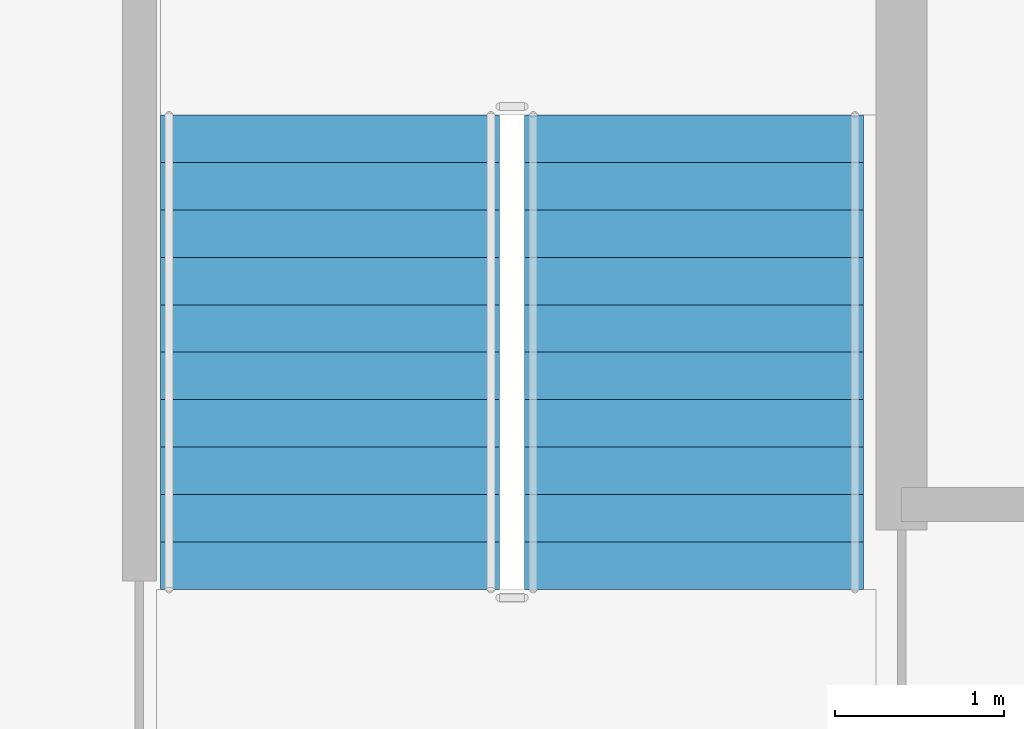
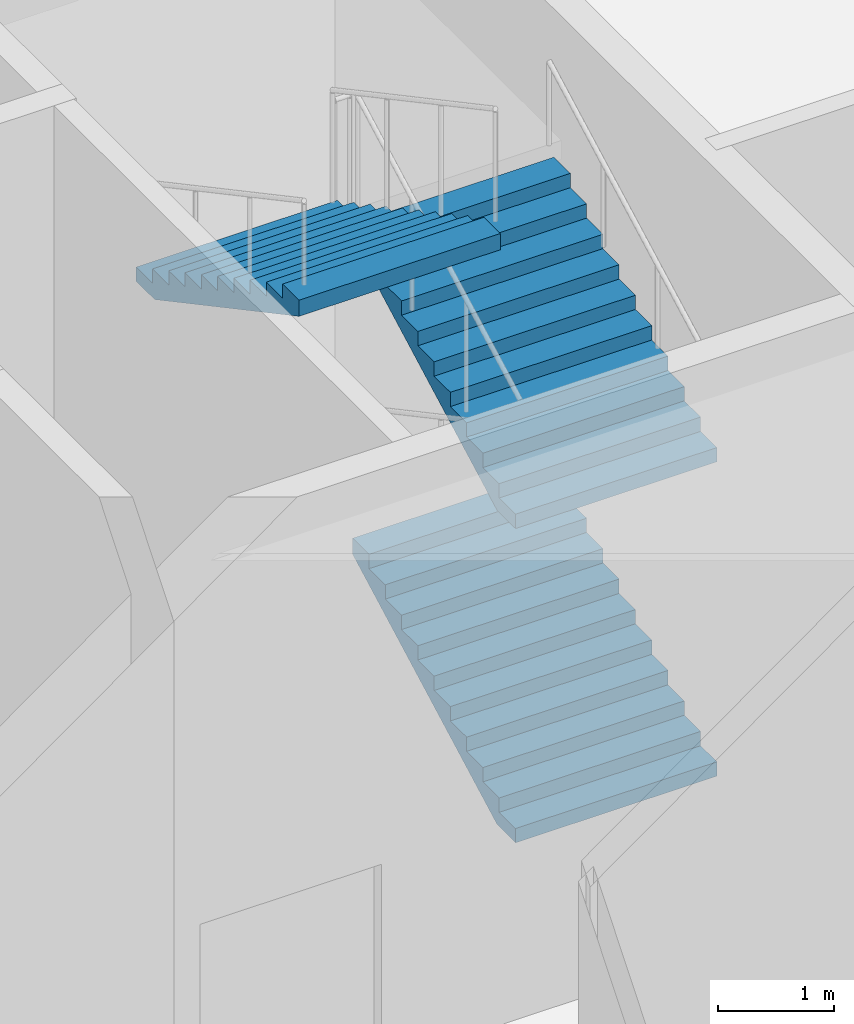
# One storey, part 21 of 38: 3 stair flights, 1 element without a shape of its own.
"""IFC4 building model written with IfcOpenShell, lengths in metres."""

import ifcopenshell
import ifcopenshell.guid

model = None  # the IFC model being written
_history = None  # IfcOwnerHistory: only IFC2X3 demands one
_inside = {}  # id of a spatial element -> (the spatial element, [elements in it])
_under = {}  # id of a project, library or spatial element -> (it, [spatial elements below it])
_declared = {}  # id of a project -> (the project, [libraries it declares])
_typed = {}  # id of a type object -> (the type object, [elements of that type])
_made_of = {}  # id of a material, layer set ... -> (it, [elements and type objects made of it])


def new_model(schema):
    """Start an empty IFC model of exactly this schema.

    Asked for "IFC4X3", IfcOpenShell would pick the latest addendum, in which some entities
    have other attributes; the version numbers below select the first issue.
    IFC2X3 requires an IfcOwnerHistory on every rooted entity: one is made here for all.
    """
    global model, _history
    if schema == "IFC4X3":
        model = ifcopenshell.file(schema_version=(4, 3, 0, 0))
    else:
        model = ifcopenshell.file(schema=schema)
    _inside.clear()
    _under.clear()
    _declared.clear()
    _typed.clear()
    _made_of.clear()
    _history = None
    if model.schema == "IFC2X3":
        org = make("IfcOrganization", Name="unknown")
        user = make(
            "IfcPersonAndOrganization",
            ThePerson=make("IfcPerson", FamilyName="unknown"),
            TheOrganization=org,
        )
        app = make(
            "IfcApplication",
            ApplicationDeveloper=org,
            Version="unknown",
            ApplicationFullName="unknown",
            ApplicationIdentifier="unknown",
        )
        _history = make(
            "IfcOwnerHistory",
            OwningUser=user,
            OwningApplication=app,
            ChangeAction="ADDED",
            CreationDate=0,
        )
    return model


def make(cls, **values):
    """One entity of the class cls with the attributes given. An attribute that is None is left unset."""
    return model.create_entity(
        cls, **{name: value for name, value in values.items() if value is not None}
    )


def rooted(cls, **values):
    """An entity with a GlobalId (a new one), such as an element, a storey or a relation."""
    return make(cls, GlobalId=ifcopenshell.guid.new(), OwnerHistory=_history, **values)


def si_unit(unit_type, name, prefix=None):
    """IfcSIUnit, for example si_unit("LENGTHUNIT", "METRE", prefix="MILLI")."""
    return make("IfcSIUnit", UnitType=unit_type, Prefix=prefix, Name=name)


def assignment(units):
    """IfcUnitAssignment: the units of a project."""
    return None if units is None else make("IfcUnitAssignment", Units=units)


def point(xyz):
    """IfcCartesianPoint."""
    return None if xyz is None else make("IfcCartesianPoint", Coordinates=xyz)


def direction(xyz):
    """IfcDirection."""
    return None if xyz is None else make("IfcDirection", DirectionRatios=xyz)


def frame(location, z_axis=None, x_axis=None):
    """IfcAxis2Placement3D, a coordinate frame: its origin and axes. An axis left out is left unset."""
    return make(
        "IfcAxis2Placement3D",
        Location=point(location),
        Axis=direction(z_axis),
        RefDirection=direction(x_axis),
    )


def origin():
    """The frame at (0, 0, 0) with its axes left unset."""
    return frame((0.0, 0.0, 0.0))


def place(relative_to, where):
    """IfcLocalPlacement: puts the frame where relative to a parent placement (None: the world)."""
    return make(
        "IfcLocalPlacement", PlacementRelTo=relative_to, RelativePlacement=where
    )


def context(
    kind, dimensions, precision=None, world=None, true_north=None, identifier=None
):
    """IfcGeometricRepresentationContext, for example the 3D "Model" context."""
    return make(
        "IfcGeometricRepresentationContext",
        ContextIdentifier=identifier,
        ContextType=kind,
        CoordinateSpaceDimension=dimensions,
        Precision=precision,
        WorldCoordinateSystem=world,
        TrueNorth=true_north,
    )


def subcontext(parent, identifier, kind, view, scale=None):
    """IfcGeometricRepresentationSubContext, for example "Body" below "Model"."""
    return make(
        "IfcGeometricRepresentationSubContext",
        ContextIdentifier=identifier,
        ContextType=kind,
        ParentContext=parent,
        TargetScale=scale,
        TargetView=view,
    )


def project(units=None, contexts=None):
    """IfcProject with its units and contexts."""
    return rooted(
        "IfcProject",
        Name="project",
        RepresentationContexts=contexts,
        UnitsInContext=assignment(units),
    )


def spatial(cls, under=None, at=None, **own):
    """A site, building, storey or space (cls), placed at a placement, below another one or the project."""
    s = rooted(cls, ObjectPlacement=at, **own)
    if under is not None:
        _under.setdefault(under.id(), (under, []))[1].append(s)
    return s


def point_list(points):
    """IfcCartesianPointList2D or 3D."""
    cls = (
        "IfcCartesianPointList2D" if len(points[0]) == 2 else "IfcCartesianPointList3D"
    )
    return make(cls, CoordList=points)


def polygons(points, faces, closed=None, point_numbers=None):
    """IfcPolygonalFaceSet: a face is its outer loop, then its inner loops; points numbered from 1."""
    made = []
    for loops in faces:
        if len(loops) == 1:
            made.append(make("IfcIndexedPolygonalFace", CoordIndex=loops[0]))
        else:
            made.append(
                make(
                    "IfcIndexedPolygonalFaceWithVoids",
                    CoordIndex=loops[0],
                    InnerCoordIndices=loops[1:],
                )
            )
    return make(
        "IfcPolygonalFaceSet",
        Coordinates=point_list(points),
        Closed=closed,
        Faces=made,
        PnIndex=point_numbers,
    )


def shape(context_of_items, identifier, shape_type, items):
    """IfcShapeRepresentation: the items that make up one representation, for example the "Body"."""
    return make(
        "IfcShapeRepresentation",
        ContextOfItems=context_of_items,
        RepresentationIdentifier=identifier,
        RepresentationType=shape_type,
        Items=items,
    )


def material(Name=None, Category=None):
    """IfcMaterial."""
    return make("IfcMaterial", Name=Name, Category=Category)


def made_of(thing, what):
    """Note that an element or type object is made of a material, layer set ...; save() writes the relation."""
    if what is not None:
        _made_of.setdefault(what.id(), (what, []))[1].append(thing)
    return thing


def type_object(cls, material=None, **own):
    """A type object (cls), such as IfcWallType, which elements share."""
    return made_of(rooted(cls, **own), material)


def element(
    cls,
    number,
    at=None,
    inside=None,
    cuts=None,
    type_object=None,
    material=None,
    context=None,
    identifier="Body",
    shape_type=None,
    held_by="IfcProductDefinitionShape",
    body=None,
    shapes=None,
    **own,
):
    """One element of the class cls, such as IfcWall. Its Tag is "e" and its number.

    at: its placement. inside: the storey or other place that contains it. cuts: it is an
    opening in that element (IfcRelVoidsElement). A single representation is given by context,
    identifier, shape_type and body (its items); several are given by shapes. held_by: the class
    of the entity that holds the representations. save() writes the other relations.
    """
    e = rooted(cls, Tag="e%d" % number, ObjectPlacement=at, **own)
    if body is not None:
        shapes = [shape(context, identifier, shape_type, body)]
    if shapes is not None:
        e.Representation = make(held_by, Representations=shapes)
    if inside is not None:
        _inside.setdefault(inside.id(), (inside, []))[1].append(e)
    if cuts is not None:
        rooted(
            "IfcRelVoidsElement", RelatingBuildingElement=cuts, RelatedOpeningElement=e
        )
    if type_object is not None:
        _typed.setdefault(type_object.id(), (type_object, []))[1].append(e)
    return made_of(e, material)


def aggregate(whole, parts):
    """IfcRelAggregates: a whole, such as a stair, and the parts it consists of."""
    return rooted("IfcRelAggregates", RelatingObject=whole, RelatedObjects=parts)


def save(model, path):
    """Write the relations noted so far, then the file.

    IfcRelAggregates (storeys below a building ...), IfcRelContainedInSpatialStructure (elements
    in a storey), IfcRelDefinesByType, IfcRelAssociatesMaterial and IfcRelDeclares: one each for
    every whole, place, type object, material and project.
    """
    for whole, parts in _under.values():
        aggregate(whole, parts)
    for where, things in _inside.values():
        rooted(
            "IfcRelContainedInSpatialStructure",
            RelatedElements=things,
            RelatingStructure=where,
        )
    for kind, things in _typed.values():
        rooted("IfcRelDefinesByType", RelatedObjects=things, RelatingType=kind)
    for what, things in _made_of.values():
        rooted("IfcRelAssociatesMaterial", RelatedObjects=things, RelatingMaterial=what)
    for by, libraries in _declared.values():
        rooted("IfcRelDeclares", RelatingContext=by, RelatedDefinitions=libraries)
    model.write(path)


model = new_model("IFC4")

# Units and contexts
model_context = context("Model", 3, precision=1e-05, world=origin(), true_north=direction((0.0, 1.0)))
body_context = subcontext(model_context, "Body", "Model", "MODEL_VIEW")
ifc_project = project(units=[si_unit("LENGTHUNIT", "METRE"), si_unit("AREAUNIT", "SQUARE_METRE"), si_unit("VOLUMEUNIT", "CUBIC_METRE"), si_unit("PLANEANGLEUNIT", "RADIAN"), si_unit("MASSUNIT", "GRAM", prefix="KILO")], contexts=[model_context])

# Site, building, storey
site_placement = place(None, origin())
site = spatial("IfcSite", under=ifc_project, at=site_placement, CompositionType="ELEMENT")
building_placement = place(site_placement, origin())
building = spatial("IfcBuilding", under=site, at=building_placement, Name="Caravel Reach Hotel and Residences", CompositionType="ELEMENT")
storey_placement = place(building_placement, origin())
storey = spatial("IfcBuildingStorey", under=building, at=storey_placement, Name="L00", CompositionType="ELEMENT", Elevation=0.0)

# Stair, stair flights
ifc_material_1 = material(Name="Concrete C40", Category="concrete")
stair_type = type_object("IfcStairType", Name="Core stair", PredefinedType="HALF_TURN_STAIR", material=ifc_material_1)
stair_placement = place(storey_placement, origin())
stair = element("IfcStair", 1, at=stair_placement, inside=storey, type_object=stair_type, Name="L00 Exit stair B", PredefinedType="HALF_TURN_STAIR")
ifc_material_2 = material(Name="Concrete C40", Category="concrete")
stair_flight_type = type_object("IfcStairFlightType", Name="Core stair flight", PredefinedType="STRAIGHT", material=ifc_material_2)
stair_flight_1_placement = place(storey_placement, frame((43.77490234375, 24.64990234375, 0.0), z_axis=(0.0, 0.0, 1.0), x_axis=(0.0, 1.0, 0.0)))
stair_flight_1 = element("IfcStairFlight", 2, at=stair_flight_1_placement, type_object=stair_flight_type, Name="ST-B flight 1", NumberOfRisers=11, NumberOfTreads=10, PredefinedType="STRAIGHT", RiserHeight=0.15, TreadLength=0.28, context=body_context, shape_type="Tessellation", body=[
    polygons([(0.3174408016601862, 1.0, 0.0), (0.3174408016601862, 0.6666666666666667, 0.0), (0.3174408016601862, 0.33333333333333337, 0.0), (0.3174408016601862, 0.0, 0.0), (0.3174408016601862, -0.33333333333333326, 0.0), (0.3174408016601862, -0.6666666666666667, 0.0), (0.3174408016601862, -1.0, 0.0), (2.801, 1.0, 1.329942427682043), (2.801, 0.6666666666666667, 1.329942427682043), (2.801, 0.33333333333333337, 1.329942427682043), (2.801, 0.0, 1.329942427682043), (2.801, -0.33333333333333326, 1.329942427682043), (2.801, -0.6666666666666667, 1.329942427682043), (2.801, -1.0, 1.329942427682043), (2.801, 1.0, 1.5), (2.801, 0.6666666666666667, 1.5), (2.801, 0.33333333333333337, 1.5), (2.801, 0.0, 1.5), (2.801, -0.33333333333333326, 1.5), (2.801, -0.6666666666666667, 1.5), (2.801, -1.0, 1.5), (2.5200000000000005, 1.0, 1.5), (2.5200000000000005, 0.6666666666666667, 1.5), (2.5200000000000005, 0.33333333333333337, 1.5), (2.5200000000000005, 0.0, 1.5), (2.5200000000000005, -0.33333333333333326, 1.5), (2.5200000000000005, -0.6666666666666667, 1.5), (2.5200000000000005, -1.0, 1.5), (2.5200000000000005, 1.0, 1.3499999999999999), (2.5200000000000005, 0.6666666666666667, 1.3499999999999999), (2.5200000000000005, 0.33333333333333337, 1.3499999999999999), (2.5200000000000005, 0.0, 1.3499999999999999), (2.5200000000000005, -0.33333333333333326, 1.3499999999999999), (2.5200000000000005, -0.6666666666666667, 1.3499999999999999), (2.5200000000000005, -1.0, 1.3499999999999999), (2.24, 1.0, 1.3499999999999999), (2.24, 0.6666666666666667, 1.3499999999999999), (2.24, 0.33333333333333337, 1.3499999999999999), (2.24, 0.0, 1.3499999999999999), (2.24, -0.33333333333333326, 1.3499999999999999), (2.24, -0.6666666666666667, 1.3499999999999999), (2.24, -1.0, 1.3499999999999999), (2.24, 1.0, 1.2), (2.24, 0.6666666666666667, 1.2), (2.24, 0.33333333333333337, 1.2), (2.24, 0.0, 1.2), (2.24, -0.33333333333333326, 1.2), (2.24, -0.6666666666666667, 1.2), (2.24, -1.0, 1.2), (1.9600000000000002, 1.0, 1.2), (1.9600000000000002, 0.6666666666666667, 1.2), (1.9600000000000002, 0.33333333333333337, 1.2), (1.9600000000000002, 0.0, 1.2), (1.9600000000000002, -0.33333333333333326, 1.2), (1.9600000000000002, -0.6666666666666667, 1.2), (1.9600000000000002, -1.0, 1.2), (1.9600000000000002, 1.0, 1.05), (1.9600000000000002, 0.6666666666666667, 1.05), (1.9600000000000002, 0.33333333333333337, 1.05), (1.9600000000000002, 0.0, 1.05), (1.9600000000000002, -0.33333333333333326, 1.05), (1.9600000000000002, -0.6666666666666667, 1.05), (1.9600000000000002, -1.0, 1.05), (1.6800000000000002, 1.0, 1.05), (1.6800000000000002, 0.6666666666666667, 1.05), (1.6800000000000002, 0.33333333333333337, 1.05), (1.6800000000000002, 0.0, 1.05), (1.6800000000000002, -0.33333333333333326, 1.05), (1.6800000000000002, -0.6666666666666667, 1.05), (1.6800000000000002, -1.0, 1.05), (1.6800000000000002, 1.0, 0.8999999999999999), (1.6800000000000002, 0.6666666666666667, 0.8999999999999999), (1.6800000000000002, 0.33333333333333337, 0.8999999999999999), (1.6800000000000002, 0.0, 0.8999999999999999), (1.6800000000000002, -0.33333333333333326, 0.8999999999999999), (1.6800000000000002, -0.6666666666666667, 0.8999999999999999), (1.6800000000000002, -1.0, 0.8999999999999999), (1.4000000000000001, 1.0, 0.8999999999999999), (1.4000000000000001, 0.6666666666666667, 0.8999999999999999), (1.4000000000000001, 0.33333333333333337, 0.8999999999999999), (1.4000000000000001, 0.0, 0.8999999999999999), (1.4000000000000001, -0.33333333333333326, 0.8999999999999999), (1.4000000000000001, -0.6666666666666667, 0.8999999999999999), (1.4000000000000001, -1.0, 0.8999999999999999), (1.4000000000000001, 1.0, 0.75), (1.4000000000000001, 0.6666666666666667, 0.75), (1.4000000000000001, 0.33333333333333337, 0.75), (1.4000000000000001, 0.0, 0.75), (1.4000000000000001, -0.33333333333333326, 0.75), (1.4000000000000001, -0.6666666666666667, 0.75), (1.4000000000000001, -1.0, 0.75), (1.12, 1.0, 0.75), (1.12, 0.6666666666666667, 0.75), (1.12, 0.33333333333333337, 0.75), (1.12, 0.0, 0.75), (1.12, -0.33333333333333326, 0.75), (1.12, -0.6666666666666667, 0.75), (1.12, -1.0, 0.75), (1.12, 1.0, 0.6), (1.12, 0.6666666666666667, 0.6), (1.12, 0.33333333333333337, 0.6), (1.12, 0.0, 0.6), (1.12, -0.33333333333333326, 0.6), (1.12, -0.6666666666666667, 0.6), (1.12, -1.0, 0.6), (0.8400000000000001, 1.0, 0.6), (0.8400000000000001, 0.6666666666666667, 0.6), (0.8400000000000001, 0.33333333333333337, 0.6), (0.8400000000000001, 0.0, 0.6), (0.8400000000000001, -0.33333333333333326, 0.6), (0.8400000000000001, -0.6666666666666667, 0.6), (0.8400000000000001, -1.0, 0.6), (0.8400000000000001, 1.0, 0.44999999999999996), (0.8400000000000001, 0.6666666666666667, 0.44999999999999996), (0.8400000000000001, 0.33333333333333337, 0.44999999999999996), (0.8400000000000001, 0.0, 0.44999999999999996), (0.8400000000000001, -0.33333333333333326, 0.44999999999999996), (0.8400000000000001, -0.6666666666666667, 0.44999999999999996), (0.8400000000000001, -1.0, 0.44999999999999996), (0.56, 1.0, 0.44999999999999996), (0.56, 0.6666666666666667, 0.44999999999999996), (0.56, 0.33333333333333337, 0.44999999999999996), (0.56, 0.0, 0.44999999999999996), (0.56, -0.33333333333333326, 0.44999999999999996), (0.56, -0.6666666666666667, 0.44999999999999996), (0.56, -1.0, 0.44999999999999996), (0.56, 1.0, 0.3), (0.56, 0.6666666666666667, 0.3), (0.56, 0.33333333333333337, 0.3), (0.56, 0.0, 0.3), (0.56, -0.33333333333333326, 0.3), (0.56, -0.6666666666666667, 0.3), (0.56, -1.0, 0.3), (0.28, 1.0, 0.3), (0.28, 0.6666666666666667, 0.3), (0.28, 0.33333333333333337, 0.3), (0.28, 0.0, 0.3), (0.28, -0.33333333333333326, 0.3), (0.28, -0.6666666666666667, 0.3), (0.28, -1.0, 0.3), (0.28, 1.0, 0.15), (0.28, 0.6666666666666667, 0.15), (0.28, 0.33333333333333337, 0.15), (0.28, 0.0, 0.15), (0.28, -0.33333333333333326, 0.15), (0.28, -0.6666666666666667, 0.15), (0.28, -1.0, 0.15), (-0.001, 1.0, 0.15), (-0.001, 0.6666666666666667, 0.15), (-0.001, 0.33333333333333337, 0.15), (-0.001, 0.0, 0.15), (-0.001, -0.33333333333333326, 0.15), (-0.001, -0.6666666666666667, 0.15), (-0.001, -1.0, 0.15), (-0.001, 1.0, 0.0), (-0.001, 0.6666666666666667, 0.0), (-0.001, 0.33333333333333337, 0.0), (-0.001, 0.0, 0.0), (-0.001, -0.33333333333333326, 0.0), (-0.001, -0.6666666666666667, 0.0), (-0.001, -1.0, 0.0)], [[[155, 148, 141, 134, 127, 120, 113, 106, 99, 92, 85, 78, 71, 64, 57, 50, 43, 36, 29, 22, 15, 8, 1]], [[7, 14, 21, 28, 35, 42, 49, 56, 63, 70, 77, 84, 91, 98, 105, 112, 119, 126, 133, 140, 147, 154, 161]], [[1, 8, 9, 2]], [[2, 9, 10, 3]], [[3, 10, 11, 4]], [[4, 11, 12, 5]], [[5, 12, 13, 6]], [[6, 13, 14, 7]], [[8, 15, 16, 9]], [[9, 16, 17, 10]], [[10, 17, 18, 11]], [[11, 18, 19, 12]], [[12, 19, 20, 13]], [[13, 20, 21, 14]], [[15, 22, 23, 16]], [[16, 23, 24, 17]], [[17, 24, 25, 18]], [[18, 25, 26, 19]], [[19, 26, 27, 20]], [[20, 27, 28, 21]], [[22, 29, 30, 23]], [[23, 30, 31, 24]], [[24, 31, 32, 25]], [[25, 32, 33, 26]], [[26, 33, 34, 27]], [[27, 34, 35, 28]], [[29, 36, 37, 30]], [[30, 37, 38, 31]], [[31, 38, 39, 32]], [[32, 39, 40, 33]], [[33, 40, 41, 34]], [[34, 41, 42, 35]], [[36, 43, 44, 37]], [[37, 44, 45, 38]], [[38, 45, 46, 39]], [[39, 46, 47, 40]], [[40, 47, 48, 41]], [[41, 48, 49, 42]], [[43, 50, 51, 44]], [[44, 51, 52, 45]], [[45, 52, 53, 46]], [[46, 53, 54, 47]], [[47, 54, 55, 48]], [[48, 55, 56, 49]], [[50, 57, 58, 51]], [[51, 58, 59, 52]], [[52, 59, 60, 53]], [[53, 60, 61, 54]], [[54, 61, 62, 55]], [[55, 62, 63, 56]], [[57, 64, 65, 58]], [[58, 65, 66, 59]], [[59, 66, 67, 60]], [[60, 67, 68, 61]], [[61, 68, 69, 62]], [[62, 69, 70, 63]], [[64, 71, 72, 65]], [[65, 72, 73, 66]], [[66, 73, 74, 67]], [[67, 74, 75, 68]], [[68, 75, 76, 69]], [[69, 76, 77, 70]], [[71, 78, 79, 72]], [[72, 79, 80, 73]], [[73, 80, 81, 74]], [[74, 81, 82, 75]], [[75, 82, 83, 76]], [[76, 83, 84, 77]], [[78, 85, 86, 79]], [[79, 86, 87, 80]], [[80, 87, 88, 81]], [[81, 88, 89, 82]], [[82, 89, 90, 83]], [[83, 90, 91, 84]], [[85, 92, 93, 86]], [[86, 93, 94, 87]], [[87, 94, 95, 88]], [[88, 95, 96, 89]], [[89, 96, 97, 90]], [[90, 97, 98, 91]], [[92, 99, 100, 93]], [[93, 100, 101, 94]], [[94, 101, 102, 95]], [[95, 102, 103, 96]], [[96, 103, 104, 97]], [[97, 104, 105, 98]], [[99, 106, 107, 100]], [[100, 107, 108, 101]], [[101, 108, 109, 102]], [[102, 109, 110, 103]], [[103, 110, 111, 104]], [[104, 111, 112, 105]], [[106, 113, 114, 107]], [[107, 114, 115, 108]], [[108, 115, 116, 109]], [[109, 116, 117, 110]], [[110, 117, 118, 111]], [[111, 118, 119, 112]], [[113, 120, 121, 114]], [[114, 121, 122, 115]], [[115, 122, 123, 116]], [[116, 123, 124, 117]], [[117, 124, 125, 118]], [[118, 125, 126, 119]], [[120, 127, 128, 121]], [[121, 128, 129, 122]], [[122, 129, 130, 123]], [[123, 130, 131, 124]], [[124, 131, 132, 125]], [[125, 132, 133, 126]], [[127, 134, 135, 128]], [[128, 135, 136, 129]], [[129, 136, 137, 130]], [[130, 137, 138, 131]], [[131, 138, 139, 132]], [[132, 139, 140, 133]], [[134, 141, 142, 135]], [[135, 142, 143, 136]], [[136, 143, 144, 137]], [[137, 144, 145, 138]], [[138, 145, 146, 139]], [[139, 146, 147, 140]], [[141, 148, 149, 142]], [[142, 149, 150, 143]], [[143, 150, 151, 144]], [[144, 151, 152, 145]], [[145, 152, 153, 146]], [[146, 153, 154, 147]], [[148, 155, 156, 149]], [[149, 156, 157, 150]], [[150, 157, 158, 151]], [[151, 158, 159, 152]], [[152, 159, 160, 153]], [[153, 160, 161, 154]], [[155, 1, 2, 156]], [[156, 2, 3, 157]], [[157, 3, 4, 158]], [[158, 4, 5, 159]], [[159, 5, 6, 160]], [[160, 6, 7, 161]]], closed=True),
])
stair_flight_2_placement = place(storey_placement, frame((43.77490234375, 24.64990234375, 3.300048828125), z_axis=(0.0, 0.0, 1.0), x_axis=(0.0, 1.0, 0.0)))
stair_flight_2 = element("IfcStairFlight", 3, at=stair_flight_2_placement, type_object=stair_flight_type, Name="ST-B flight 3", NumberOfRisers=11, NumberOfTreads=10, PredefinedType="STRAIGHT", RiserHeight=0.15, TreadLength=0.28, context=body_context, shape_type="Tessellation", body=[
    polygons([(0.3174408016601862, 1.0, 0.0), (0.3174408016601862, 0.6666666666666667, 0.0), (0.3174408016601862, 0.33333333333333337, 0.0), (0.3174408016601862, 0.0, 0.0), (0.3174408016601862, -0.33333333333333326, 0.0), (0.3174408016601862, -0.6666666666666667, 0.0), (0.3174408016601862, -1.0, 0.0), (2.801, 1.0, 1.329942427682043), (2.801, 0.6666666666666667, 1.329942427682043), (2.801, 0.33333333333333337, 1.329942427682043), (2.801, 0.0, 1.329942427682043), (2.801, -0.33333333333333326, 1.329942427682043), (2.801, -0.6666666666666667, 1.329942427682043), (2.801, -1.0, 1.329942427682043), (2.801, 1.0, 1.5), (2.801, 0.6666666666666667, 1.5), (2.801, 0.33333333333333337, 1.5), (2.801, 0.0, 1.5), (2.801, -0.33333333333333326, 1.5), (2.801, -0.6666666666666667, 1.5), (2.801, -1.0, 1.5), (2.5200000000000005, 1.0, 1.5), (2.5200000000000005, 0.6666666666666667, 1.5), (2.5200000000000005, 0.33333333333333337, 1.5), (2.5200000000000005, 0.0, 1.5), (2.5200000000000005, -0.33333333333333326, 1.5), (2.5200000000000005, -0.6666666666666667, 1.5), (2.5200000000000005, -1.0, 1.5), (2.5200000000000005, 1.0, 1.3499999999999999), (2.5200000000000005, 0.6666666666666667, 1.3499999999999999), (2.5200000000000005, 0.33333333333333337, 1.3499999999999999), (2.5200000000000005, 0.0, 1.3499999999999999), (2.5200000000000005, -0.33333333333333326, 1.3499999999999999), (2.5200000000000005, -0.6666666666666667, 1.3499999999999999), (2.5200000000000005, -1.0, 1.3499999999999999), (2.24, 1.0, 1.3499999999999999), (2.24, 0.6666666666666667, 1.3499999999999999), (2.24, 0.33333333333333337, 1.3499999999999999), (2.24, 0.0, 1.3499999999999999), (2.24, -0.33333333333333326, 1.3499999999999999), (2.24, -0.6666666666666667, 1.3499999999999999), (2.24, -1.0, 1.3499999999999999), (2.24, 1.0, 1.2), (2.24, 0.6666666666666667, 1.2), (2.24, 0.33333333333333337, 1.2), (2.24, 0.0, 1.2), (2.24, -0.33333333333333326, 1.2), (2.24, -0.6666666666666667, 1.2), (2.24, -1.0, 1.2), (1.9600000000000002, 1.0, 1.2), (1.9600000000000002, 0.6666666666666667, 1.2), (1.9600000000000002, 0.33333333333333337, 1.2), (1.9600000000000002, 0.0, 1.2), (1.9600000000000002, -0.33333333333333326, 1.2), (1.9600000000000002, -0.6666666666666667, 1.2), (1.9600000000000002, -1.0, 1.2), (1.9600000000000002, 1.0, 1.05), (1.9600000000000002, 0.6666666666666667, 1.05), (1.9600000000000002, 0.33333333333333337, 1.05), (1.9600000000000002, 0.0, 1.05), (1.9600000000000002, -0.33333333333333326, 1.05), (1.9600000000000002, -0.6666666666666667, 1.05), (1.9600000000000002, -1.0, 1.05), (1.6800000000000002, 1.0, 1.05), (1.6800000000000002, 0.6666666666666667, 1.05), (1.6800000000000002, 0.33333333333333337, 1.05), (1.6800000000000002, 0.0, 1.05), (1.6800000000000002, -0.33333333333333326, 1.05), (1.6800000000000002, -0.6666666666666667, 1.05), (1.6800000000000002, -1.0, 1.05), (1.6800000000000002, 1.0, 0.8999999999999999), (1.6800000000000002, 0.6666666666666667, 0.8999999999999999), (1.6800000000000002, 0.33333333333333337, 0.8999999999999999), (1.6800000000000002, 0.0, 0.8999999999999999), (1.6800000000000002, -0.33333333333333326, 0.8999999999999999), (1.6800000000000002, -0.6666666666666667, 0.8999999999999999), (1.6800000000000002, -1.0, 0.8999999999999999), (1.4000000000000001, 1.0, 0.8999999999999999), (1.4000000000000001, 0.6666666666666667, 0.8999999999999999), (1.4000000000000001, 0.33333333333333337, 0.8999999999999999), (1.4000000000000001, 0.0, 0.8999999999999999), (1.4000000000000001, -0.33333333333333326, 0.8999999999999999), (1.4000000000000001, -0.6666666666666667, 0.8999999999999999), (1.4000000000000001, -1.0, 0.8999999999999999), (1.4000000000000001, 1.0, 0.75), (1.4000000000000001, 0.6666666666666667, 0.75), (1.4000000000000001, 0.33333333333333337, 0.75), (1.4000000000000001, 0.0, 0.75), (1.4000000000000001, -0.33333333333333326, 0.75), (1.4000000000000001, -0.6666666666666667, 0.75), (1.4000000000000001, -1.0, 0.75), (1.12, 1.0, 0.75), (1.12, 0.6666666666666667, 0.75), (1.12, 0.33333333333333337, 0.75), (1.12, 0.0, 0.75), (1.12, -0.33333333333333326, 0.75), (1.12, -0.6666666666666667, 0.75), (1.12, -1.0, 0.75), (1.12, 1.0, 0.6), (1.12, 0.6666666666666667, 0.6), (1.12, 0.33333333333333337, 0.6), (1.12, 0.0, 0.6), (1.12, -0.33333333333333326, 0.6), (1.12, -0.6666666666666667, 0.6), (1.12, -1.0, 0.6), (0.8400000000000001, 1.0, 0.6), (0.8400000000000001, 0.6666666666666667, 0.6), (0.8400000000000001, 0.33333333333333337, 0.6), (0.8400000000000001, 0.0, 0.6), (0.8400000000000001, -0.33333333333333326, 0.6), (0.8400000000000001, -0.6666666666666667, 0.6), (0.8400000000000001, -1.0, 0.6), (0.8400000000000001, 1.0, 0.44999999999999996), (0.8400000000000001, 0.6666666666666667, 0.44999999999999996), (0.8400000000000001, 0.33333333333333337, 0.44999999999999996), (0.8400000000000001, 0.0, 0.44999999999999996), (0.8400000000000001, -0.33333333333333326, 0.44999999999999996), (0.8400000000000001, -0.6666666666666667, 0.44999999999999996), (0.8400000000000001, -1.0, 0.44999999999999996), (0.56, 1.0, 0.44999999999999996), (0.56, 0.6666666666666667, 0.44999999999999996), (0.56, 0.33333333333333337, 0.44999999999999996), (0.56, 0.0, 0.44999999999999996), (0.56, -0.33333333333333326, 0.44999999999999996), (0.56, -0.6666666666666667, 0.44999999999999996), (0.56, -1.0, 0.44999999999999996), (0.56, 1.0, 0.3), (0.56, 0.6666666666666667, 0.3), (0.56, 0.33333333333333337, 0.3), (0.56, 0.0, 0.3), (0.56, -0.33333333333333326, 0.3), (0.56, -0.6666666666666667, 0.3), (0.56, -1.0, 0.3), (0.28, 1.0, 0.3), (0.28, 0.6666666666666667, 0.3), (0.28, 0.33333333333333337, 0.3), (0.28, 0.0, 0.3), (0.28, -0.33333333333333326, 0.3), (0.28, -0.6666666666666667, 0.3), (0.28, -1.0, 0.3), (0.28, 1.0, 0.15), (0.28, 0.6666666666666667, 0.15), (0.28, 0.33333333333333337, 0.15), (0.28, 0.0, 0.15), (0.28, -0.33333333333333326, 0.15), (0.28, -0.6666666666666667, 0.15), (0.28, -1.0, 0.15), (-0.001, 1.0, 0.15), (-0.001, 0.6666666666666667, 0.15), (-0.001, 0.33333333333333337, 0.15), (-0.001, 0.0, 0.15), (-0.001, -0.33333333333333326, 0.15), (-0.001, -0.6666666666666667, 0.15), (-0.001, -1.0, 0.15), (-0.001, 1.0, 0.0), (-0.001, 0.6666666666666667, 0.0), (-0.001, 0.33333333333333337, 0.0), (-0.001, 0.0, 0.0), (-0.001, -0.33333333333333326, 0.0), (-0.001, -0.6666666666666667, 0.0), (-0.001, -1.0, 0.0)], [[[155, 148, 141, 134, 127, 120, 113, 106, 99, 92, 85, 78, 71, 64, 57, 50, 43, 36, 29, 22, 15, 8, 1]], [[7, 14, 21, 28, 35, 42, 49, 56, 63, 70, 77, 84, 91, 98, 105, 112, 119, 126, 133, 140, 147, 154, 161]], [[1, 8, 9, 2]], [[2, 9, 10, 3]], [[3, 10, 11, 4]], [[4, 11, 12, 5]], [[5, 12, 13, 6]], [[6, 13, 14, 7]], [[8, 15, 16, 9]], [[9, 16, 17, 10]], [[10, 17, 18, 11]], [[11, 18, 19, 12]], [[12, 19, 20, 13]], [[13, 20, 21, 14]], [[15, 22, 23, 16]], [[16, 23, 24, 17]], [[17, 24, 25, 18]], [[18, 25, 26, 19]], [[19, 26, 27, 20]], [[20, 27, 28, 21]], [[22, 29, 30, 23]], [[23, 30, 31, 24]], [[24, 31, 32, 25]], [[25, 32, 33, 26]], [[26, 33, 34, 27]], [[27, 34, 35, 28]], [[29, 36, 37, 30]], [[30, 37, 38, 31]], [[31, 38, 39, 32]], [[32, 39, 40, 33]], [[33, 40, 41, 34]], [[34, 41, 42, 35]], [[36, 43, 44, 37]], [[37, 44, 45, 38]], [[38, 45, 46, 39]], [[39, 46, 47, 40]], [[40, 47, 48, 41]], [[41, 48, 49, 42]], [[43, 50, 51, 44]], [[44, 51, 52, 45]], [[45, 52, 53, 46]], [[46, 53, 54, 47]], [[47, 54, 55, 48]], [[48, 55, 56, 49]], [[50, 57, 58, 51]], [[51, 58, 59, 52]], [[52, 59, 60, 53]], [[53, 60, 61, 54]], [[54, 61, 62, 55]], [[55, 62, 63, 56]], [[57, 64, 65, 58]], [[58, 65, 66, 59]], [[59, 66, 67, 60]], [[60, 67, 68, 61]], [[61, 68, 69, 62]], [[62, 69, 70, 63]], [[64, 71, 72, 65]], [[65, 72, 73, 66]], [[66, 73, 74, 67]], [[67, 74, 75, 68]], [[68, 75, 76, 69]], [[69, 76, 77, 70]], [[71, 78, 79, 72]], [[72, 79, 80, 73]], [[73, 80, 81, 74]], [[74, 81, 82, 75]], [[75, 82, 83, 76]], [[76, 83, 84, 77]], [[78, 85, 86, 79]], [[79, 86, 87, 80]], [[80, 87, 88, 81]], [[81, 88, 89, 82]], [[82, 89, 90, 83]], [[83, 90, 91, 84]], [[85, 92, 93, 86]], [[86, 93, 94, 87]], [[87, 94, 95, 88]], [[88, 95, 96, 89]], [[89, 96, 97, 90]], [[90, 97, 98, 91]], [[92, 99, 100, 93]], [[93, 100, 101, 94]], [[94, 101, 102, 95]], [[95, 102, 103, 96]], [[96, 103, 104, 97]], [[97, 104, 105, 98]], [[99, 106, 107, 100]], [[100, 107, 108, 101]], [[101, 108, 109, 102]], [[102, 109, 110, 103]], [[103, 110, 111, 104]], [[104, 111, 112, 105]], [[106, 113, 114, 107]], [[107, 114, 115, 108]], [[108, 115, 116, 109]], [[109, 116, 117, 110]], [[110, 117, 118, 111]], [[111, 118, 119, 112]], [[113, 120, 121, 114]], [[114, 121, 122, 115]], [[115, 122, 123, 116]], [[116, 123, 124, 117]], [[117, 124, 125, 118]], [[118, 125, 126, 119]], [[120, 127, 128, 121]], [[121, 128, 129, 122]], [[122, 129, 130, 123]], [[123, 130, 131, 124]], [[124, 131, 132, 125]], [[125, 132, 133, 126]], [[127, 134, 135, 128]], [[128, 135, 136, 129]], [[129, 136, 137, 130]], [[130, 137, 138, 131]], [[131, 138, 139, 132]], [[132, 139, 140, 133]], [[134, 141, 142, 135]], [[135, 142, 143, 136]], [[136, 143, 144, 137]], [[137, 144, 145, 138]], [[138, 145, 146, 139]], [[139, 146, 147, 140]], [[141, 148, 149, 142]], [[142, 149, 150, 143]], [[143, 150, 151, 144]], [[144, 151, 152, 145]], [[145, 152, 153, 146]], [[146, 153, 154, 147]], [[148, 155, 156, 149]], [[149, 156, 157, 150]], [[150, 157, 158, 151]], [[151, 158, 159, 152]], [[152, 159, 160, 153]], [[153, 160, 161, 154]], [[155, 1, 2, 156]], [[156, 2, 3, 157]], [[157, 3, 4, 158]], [[158, 4, 5, 159]], [[159, 5, 6, 160]], [[160, 6, 7, 161]]], closed=True),
])
stair_flight_3_placement = place(storey_placement, frame((41.625, 27.449951171875, 4.949951171875), z_axis=(0.0, 0.0, 1.0), x_axis=(0.0, -1.0, 0.0)))
stair_flight_3 = element("IfcStairFlight", 4, at=stair_flight_3_placement, type_object=stair_flight_type, Name="ST-B flight 4", NumberOfRisers=11, NumberOfTreads=10, PredefinedType="STRAIGHT", RiserHeight=0.15, TreadLength=0.28, context=body_context, shape_type="Tessellation", body=[
    polygons([(0.3174408016601862, 1.0, 0.0), (0.3174408016601862, 0.6666666666666667, 0.0), (0.3174408016601862, 0.33333333333333337, 0.0), (0.3174408016601862, 0.0, 0.0), (0.3174408016601862, -0.33333333333333326, 0.0), (0.3174408016601862, -0.6666666666666667, 0.0), (0.3174408016601862, -1.0, 0.0), (2.801, 1.0, 1.329942427682043), (2.801, 0.6666666666666667, 1.329942427682043), (2.801, 0.33333333333333337, 1.329942427682043), (2.801, 0.0, 1.329942427682043), (2.801, -0.33333333333333326, 1.329942427682043), (2.801, -0.6666666666666667, 1.329942427682043), (2.801, -1.0, 1.329942427682043), (2.801, 1.0, 1.5), (2.801, 0.6666666666666667, 1.5), (2.801, 0.33333333333333337, 1.5), (2.801, 0.0, 1.5), (2.801, -0.33333333333333326, 1.5), (2.801, -0.6666666666666667, 1.5), (2.801, -1.0, 1.5), (2.5200000000000005, 1.0, 1.5), (2.5200000000000005, 0.6666666666666667, 1.5), (2.5200000000000005, 0.33333333333333337, 1.5), (2.5200000000000005, 0.0, 1.5), (2.5200000000000005, -0.33333333333333326, 1.5), (2.5200000000000005, -0.6666666666666667, 1.5), (2.5200000000000005, -1.0, 1.5), (2.5200000000000005, 1.0, 1.3499999999999999), (2.5200000000000005, 0.6666666666666667, 1.3499999999999999), (2.5200000000000005, 0.33333333333333337, 1.3499999999999999), (2.5200000000000005, 0.0, 1.3499999999999999), (2.5200000000000005, -0.33333333333333326, 1.3499999999999999), (2.5200000000000005, -0.6666666666666667, 1.3499999999999999), (2.5200000000000005, -1.0, 1.3499999999999999), (2.24, 1.0, 1.3499999999999999), (2.24, 0.6666666666666667, 1.3499999999999999), (2.24, 0.33333333333333337, 1.3499999999999999), (2.24, 0.0, 1.3499999999999999), (2.24, -0.33333333333333326, 1.3499999999999999), (2.24, -0.6666666666666667, 1.3499999999999999), (2.24, -1.0, 1.3499999999999999), (2.24, 1.0, 1.2), (2.24, 0.6666666666666667, 1.2), (2.24, 0.33333333333333337, 1.2), (2.24, 0.0, 1.2), (2.24, -0.33333333333333326, 1.2), (2.24, -0.6666666666666667, 1.2), (2.24, -1.0, 1.2), (1.9600000000000002, 1.0, 1.2), (1.9600000000000002, 0.6666666666666667, 1.2), (1.9600000000000002, 0.33333333333333337, 1.2), (1.9600000000000002, 0.0, 1.2), (1.9600000000000002, -0.33333333333333326, 1.2), (1.9600000000000002, -0.6666666666666667, 1.2), (1.9600000000000002, -1.0, 1.2), (1.9600000000000002, 1.0, 1.05), (1.9600000000000002, 0.6666666666666667, 1.05), (1.9600000000000002, 0.33333333333333337, 1.05), (1.9600000000000002, 0.0, 1.05), (1.9600000000000002, -0.33333333333333326, 1.05), (1.9600000000000002, -0.6666666666666667, 1.05), (1.9600000000000002, -1.0, 1.05), (1.6800000000000002, 1.0, 1.05), (1.6800000000000002, 0.6666666666666667, 1.05), (1.6800000000000002, 0.33333333333333337, 1.05), (1.6800000000000002, 0.0, 1.05), (1.6800000000000002, -0.33333333333333326, 1.05), (1.6800000000000002, -0.6666666666666667, 1.05), (1.6800000000000002, -1.0, 1.05), (1.6800000000000002, 1.0, 0.8999999999999999), (1.6800000000000002, 0.6666666666666667, 0.8999999999999999), (1.6800000000000002, 0.33333333333333337, 0.8999999999999999), (1.6800000000000002, 0.0, 0.8999999999999999), (1.6800000000000002, -0.33333333333333326, 0.8999999999999999), (1.6800000000000002, -0.6666666666666667, 0.8999999999999999), (1.6800000000000002, -1.0, 0.8999999999999999), (1.4000000000000001, 1.0, 0.8999999999999999), (1.4000000000000001, 0.6666666666666667, 0.8999999999999999), (1.4000000000000001, 0.33333333333333337, 0.8999999999999999), (1.4000000000000001, 0.0, 0.8999999999999999), (1.4000000000000001, -0.33333333333333326, 0.8999999999999999), (1.4000000000000001, -0.6666666666666667, 0.8999999999999999), (1.4000000000000001, -1.0, 0.8999999999999999), (1.4000000000000001, 1.0, 0.75), (1.4000000000000001, 0.6666666666666667, 0.75), (1.4000000000000001, 0.33333333333333337, 0.75), (1.4000000000000001, 0.0, 0.75), (1.4000000000000001, -0.33333333333333326, 0.75), (1.4000000000000001, -0.6666666666666667, 0.75), (1.4000000000000001, -1.0, 0.75), (1.12, 1.0, 0.75), (1.12, 0.6666666666666667, 0.75), (1.12, 0.33333333333333337, 0.75), (1.12, 0.0, 0.75), (1.12, -0.33333333333333326, 0.75), (1.12, -0.6666666666666667, 0.75), (1.12, -1.0, 0.75), (1.12, 1.0, 0.6), (1.12, 0.6666666666666667, 0.6), (1.12, 0.33333333333333337, 0.6), (1.12, 0.0, 0.6), (1.12, -0.33333333333333326, 0.6), (1.12, -0.6666666666666667, 0.6), (1.12, -1.0, 0.6), (0.8400000000000001, 1.0, 0.6), (0.8400000000000001, 0.6666666666666667, 0.6), (0.8400000000000001, 0.33333333333333337, 0.6), (0.8400000000000001, 0.0, 0.6), (0.8400000000000001, -0.33333333333333326, 0.6), (0.8400000000000001, -0.6666666666666667, 0.6), (0.8400000000000001, -1.0, 0.6), (0.8400000000000001, 1.0, 0.44999999999999996), (0.8400000000000001, 0.6666666666666667, 0.44999999999999996), (0.8400000000000001, 0.33333333333333337, 0.44999999999999996), (0.8400000000000001, 0.0, 0.44999999999999996), (0.8400000000000001, -0.33333333333333326, 0.44999999999999996), (0.8400000000000001, -0.6666666666666667, 0.44999999999999996), (0.8400000000000001, -1.0, 0.44999999999999996), (0.56, 1.0, 0.44999999999999996), (0.56, 0.6666666666666667, 0.44999999999999996), (0.56, 0.33333333333333337, 0.44999999999999996), (0.56, 0.0, 0.44999999999999996), (0.56, -0.33333333333333326, 0.44999999999999996), (0.56, -0.6666666666666667, 0.44999999999999996), (0.56, -1.0, 0.44999999999999996), (0.56, 1.0, 0.3), (0.56, 0.6666666666666667, 0.3), (0.56, 0.33333333333333337, 0.3), (0.56, 0.0, 0.3), (0.56, -0.33333333333333326, 0.3), (0.56, -0.6666666666666667, 0.3), (0.56, -1.0, 0.3), (0.28, 1.0, 0.3), (0.28, 0.6666666666666667, 0.3), (0.28, 0.33333333333333337, 0.3), (0.28, 0.0, 0.3), (0.28, -0.33333333333333326, 0.3), (0.28, -0.6666666666666667, 0.3), (0.28, -1.0, 0.3), (0.28, 1.0, 0.15), (0.28, 0.6666666666666667, 0.15), (0.28, 0.33333333333333337, 0.15), (0.28, 0.0, 0.15), (0.28, -0.33333333333333326, 0.15), (0.28, -0.6666666666666667, 0.15), (0.28, -1.0, 0.15), (-0.001, 1.0, 0.15), (-0.001, 0.6666666666666667, 0.15), (-0.001, 0.33333333333333337, 0.15), (-0.001, 0.0, 0.15), (-0.001, -0.33333333333333326, 0.15), (-0.001, -0.6666666666666667, 0.15), (-0.001, -1.0, 0.15), (-0.001, 1.0, 0.0), (-0.001, 0.6666666666666667, 0.0), (-0.001, 0.33333333333333337, 0.0), (-0.001, 0.0, 0.0), (-0.001, -0.33333333333333326, 0.0), (-0.001, -0.6666666666666667, 0.0), (-0.001, -1.0, 0.0)], [[[155, 148, 141, 134, 127, 120, 113, 106, 99, 92, 85, 78, 71, 64, 57, 50, 43, 36, 29, 22, 15, 8, 1]], [[7, 14, 21, 28, 35, 42, 49, 56, 63, 70, 77, 84, 91, 98, 105, 112, 119, 126, 133, 140, 147, 154, 161]], [[1, 8, 9, 2]], [[2, 9, 10, 3]], [[3, 10, 11, 4]], [[4, 11, 12, 5]], [[5, 12, 13, 6]], [[6, 13, 14, 7]], [[8, 15, 16, 9]], [[9, 16, 17, 10]], [[10, 17, 18, 11]], [[11, 18, 19, 12]], [[12, 19, 20, 13]], [[13, 20, 21, 14]], [[15, 22, 23, 16]], [[16, 23, 24, 17]], [[17, 24, 25, 18]], [[18, 25, 26, 19]], [[19, 26, 27, 20]], [[20, 27, 28, 21]], [[22, 29, 30, 23]], [[23, 30, 31, 24]], [[24, 31, 32, 25]], [[25, 32, 33, 26]], [[26, 33, 34, 27]], [[27, 34, 35, 28]], [[29, 36, 37, 30]], [[30, 37, 38, 31]], [[31, 38, 39, 32]], [[32, 39, 40, 33]], [[33, 40, 41, 34]], [[34, 41, 42, 35]], [[36, 43, 44, 37]], [[37, 44, 45, 38]], [[38, 45, 46, 39]], [[39, 46, 47, 40]], [[40, 47, 48, 41]], [[41, 48, 49, 42]], [[43, 50, 51, 44]], [[44, 51, 52, 45]], [[45, 52, 53, 46]], [[46, 53, 54, 47]], [[47, 54, 55, 48]], [[48, 55, 56, 49]], [[50, 57, 58, 51]], [[51, 58, 59, 52]], [[52, 59, 60, 53]], [[53, 60, 61, 54]], [[54, 61, 62, 55]], [[55, 62, 63, 56]], [[57, 64, 65, 58]], [[58, 65, 66, 59]], [[59, 66, 67, 60]], [[60, 67, 68, 61]], [[61, 68, 69, 62]], [[62, 69, 70, 63]], [[64, 71, 72, 65]], [[65, 72, 73, 66]], [[66, 73, 74, 67]], [[67, 74, 75, 68]], [[68, 75, 76, 69]], [[69, 76, 77, 70]], [[71, 78, 79, 72]], [[72, 79, 80, 73]], [[73, 80, 81, 74]], [[74, 81, 82, 75]], [[75, 82, 83, 76]], [[76, 83, 84, 77]], [[78, 85, 86, 79]], [[79, 86, 87, 80]], [[80, 87, 88, 81]], [[81, 88, 89, 82]], [[82, 89, 90, 83]], [[83, 90, 91, 84]], [[85, 92, 93, 86]], [[86, 93, 94, 87]], [[87, 94, 95, 88]], [[88, 95, 96, 89]], [[89, 96, 97, 90]], [[90, 97, 98, 91]], [[92, 99, 100, 93]], [[93, 100, 101, 94]], [[94, 101, 102, 95]], [[95, 102, 103, 96]], [[96, 103, 104, 97]], [[97, 104, 105, 98]], [[99, 106, 107, 100]], [[100, 107, 108, 101]], [[101, 108, 109, 102]], [[102, 109, 110, 103]], [[103, 110, 111, 104]], [[104, 111, 112, 105]], [[106, 113, 114, 107]], [[107, 114, 115, 108]], [[108, 115, 116, 109]], [[109, 116, 117, 110]], [[110, 117, 118, 111]], [[111, 118, 119, 112]], [[113, 120, 121, 114]], [[114, 121, 122, 115]], [[115, 122, 123, 116]], [[116, 123, 124, 117]], [[117, 124, 125, 118]], [[118, 125, 126, 119]], [[120, 127, 128, 121]], [[121, 128, 129, 122]], [[122, 129, 130, 123]], [[123, 130, 131, 124]], [[124, 131, 132, 125]], [[125, 132, 133, 126]], [[127, 134, 135, 128]], [[128, 135, 136, 129]], [[129, 136, 137, 130]], [[130, 137, 138, 131]], [[131, 138, 139, 132]], [[132, 139, 140, 133]], [[134, 141, 142, 135]], [[135, 142, 143, 136]], [[136, 143, 144, 137]], [[137, 144, 145, 138]], [[138, 145, 146, 139]], [[139, 146, 147, 140]], [[141, 148, 149, 142]], [[142, 149, 150, 143]], [[143, 150, 151, 144]], [[144, 151, 152, 145]], [[145, 152, 153, 146]], [[146, 153, 154, 147]], [[148, 155, 156, 149]], [[149, 156, 157, 150]], [[150, 157, 158, 151]], [[151, 158, 159, 152]], [[152, 159, 160, 153]], [[153, 160, 161, 154]], [[155, 1, 2, 156]], [[156, 2, 3, 157]], [[157, 3, 4, 158]], [[158, 4, 5, 159]], [[159, 5, 6, 160]], [[160, 6, 7, 161]]], closed=True),
])
aggregate(stair, [stair_flight_1, stair_flight_2, stair_flight_3])

save(model, "model.ifc")
